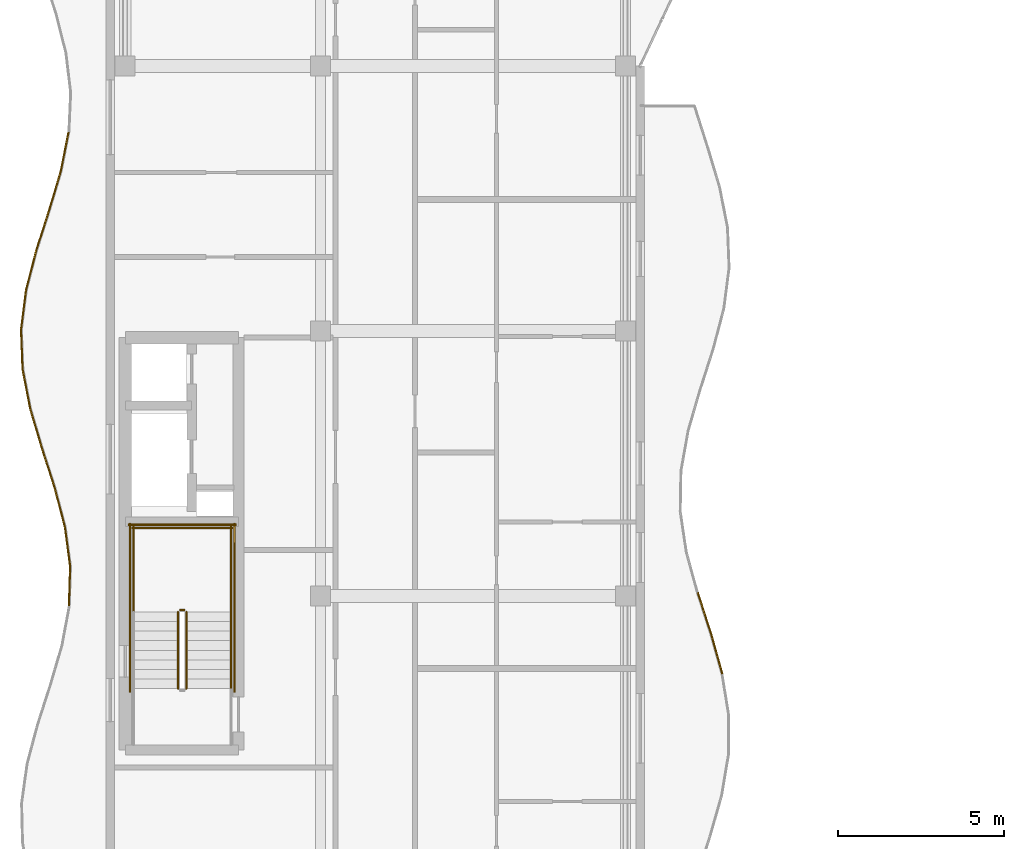
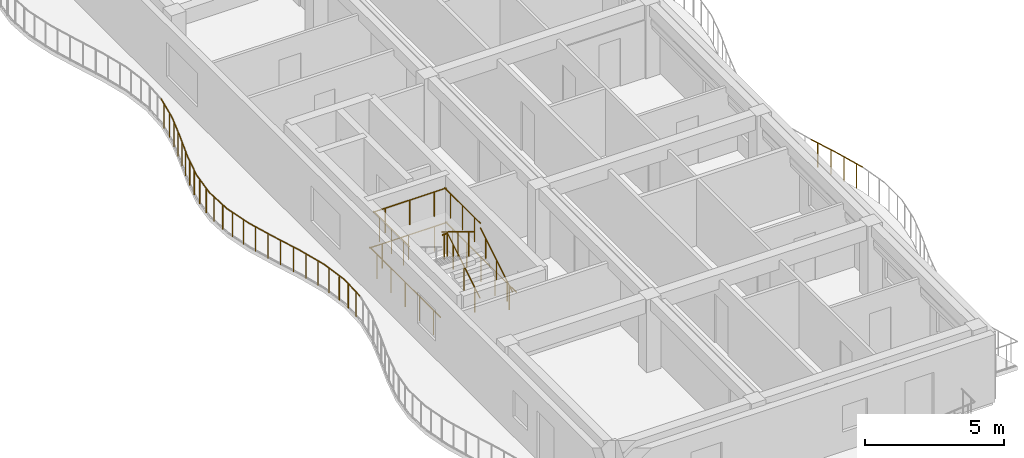
# One storey, part 50 of 76: 24 railings.
"""IFC4 building model written with IfcOpenShell, lengths in metres."""

from ifc_helpers import new_model, si_unit, direction, frame, origin, origin_2d, place, context, subcontext, project, spatial, circle, extrude, material, type_object, element, save


model = new_model("IFC4")

# Units and contexts
model_context = context("Model", 3, precision=1e-05, world=origin(), true_north=direction((0.0, 1.0)))
body_context = subcontext(model_context, "Body", "Model", "MODEL_VIEW")
ifc_project = project(units=[si_unit("LENGTHUNIT", "METRE"), si_unit("AREAUNIT", "SQUARE_METRE"), si_unit("VOLUMEUNIT", "CUBIC_METRE"), si_unit("PLANEANGLEUNIT", "RADIAN"), si_unit("MASSUNIT", "GRAM", prefix="KILO")], contexts=[model_context])

# Site, building, storey
site_placement = place(None, origin())
site = spatial("IfcSite", under=ifc_project, at=site_placement, CompositionType="ELEMENT")
building_placement = place(site_placement, origin())
building = spatial("IfcBuilding", under=site, at=building_placement, Name="Keldmere Railside Commons", CompositionType="ELEMENT")
storey_placement = place(building_placement, frame((0.0, 0.0, 13.760009765625)))
storey = spatial("IfcBuildingStorey", under=building, at=storey_placement, Name="L04", CompositionType="ELEMENT", Elevation=13.760009765625)

# Railings
ifc_material = material(Name="Steel F-24 (S235)", Category="steel")
railing_type_1 = type_object("IfcRailingType", Name="Balcony & Terrace Steel Balustrade 1100", PredefinedType="BALUSTRADE", material=ifc_material)
railing_1_placement = place(storey_placement, frame((26.477294921875, 69.64990234375, 0.0)))
element("IfcRailing", 1, at=railing_1_placement, inside=storey, type_object=railing_type_1, Name="GR-1 GRD-L04-0412", PredefinedType="BALUSTRADE", context=body_context, shape_type="SweptSolid", body=[
    extrude(circle(Radius=0.02392578125, at=origin_2d()), frame((0.0, 0.0, 1.076171875), z_axis=(-0.271223252844, 0.962516465894, 0.0), x_axis=(-0.962516465894, -0.271223252844, 0.0)), (0.0, 0.0, 1.0), 1.272705078125),
    extrude(circle(Radius=0.02099609375, at=origin_2d()), frame((-0.08642578125, 0.30615234375, 0.0)), (0.0, 0.0, 1.0), 1.048095703125),
    extrude(circle(Radius=0.02099609375, at=origin_2d()), frame((-0.2587890625, 0.9189453125, 0.0)), (0.0, 0.0, 1.0), 1.048095703125),
])
railing_2_placement = place(storey_placement, frame((26.132080078125, 70.875, 0.0)))
element("IfcRailing", 2, at=railing_2_placement, inside=storey, type_object=railing_type_1, Name="GR-1 GRD-L04-0413", PredefinedType="BALUSTRADE", context=body_context, shape_type="SweptSolid", body=[
    extrude(circle(Radius=0.02392578125, at=origin_2d()), frame((0.0, 0.0, 1.076171875), z_axis=(-0.307567840436, 0.951526154937, 0.0), x_axis=(-0.951526154937, -0.307567840436, 0.0)), (0.0, 0.0, 1.0), 1.28759765625),
    extrude(circle(Radius=0.02099609375, at=origin_2d()), frame((-0.09912109375, 0.30615234375, 0.0)), (0.0, 0.0, 1.0), 1.048095703125),
    extrude(circle(Radius=0.02099609375, at=origin_2d()), frame((-0.296875, 0.9189453125, 0.0)), (0.0, 0.0, 1.0), 1.048095703125),
])
railing_3_placement = place(storey_placement, frame((6.7529296875, 71.699951171875, 0.0)))
element("IfcRailing", 3, at=railing_3_placement, inside=storey, type_object=railing_type_1, Name="GR-1 GRD-L04-0440", PredefinedType="BALUSTRADE", context=body_context, shape_type="SweptSolid", body=[
    extrude(circle(Radius=0.02392578125, at=origin_2d()), frame((0.0, 0.0, 1.076171875), z_axis=(0.030921490325, 0.999521816388, 0.0), x_axis=(-0.999521816388, 0.030921490325, 0.0)), (0.0, 0.0, 1.0), 1.192138671875),
    extrude(circle(Radius=0.02099609375, at=origin_2d()), frame((0.00927734375, 0.2978515625, 0.0)), (0.0, 0.0, 1.0), 1.048095703125),
    extrude(circle(Radius=0.02099609375, at=origin_2d()), frame((0.027587890625, 0.893798828125, 0.0)), (0.0, 0.0, 1.0), 1.048095703125),
])
railing_4_placement = place(storey_placement, frame((6.789794921875, 72.8916015625, 0.0)))
element("IfcRailing", 4, at=railing_4_placement, inside=storey, type_object=railing_type_1, Name="GR-1 GRD-L04-0441", PredefinedType="BALUSTRADE", context=body_context, shape_type="SweptSolid", body=[
    extrude(circle(Radius=0.02392578125, at=origin_2d()), frame((0.0, 0.0, 1.076171875), z_axis=(-0.131804537155, 0.99127572551, 0.0), x_axis=(-0.99127572551, -0.131804537155, 0.0)), (0.0, 0.0, 1.0), 1.2021484375),
    extrude(circle(Radius=0.02099609375, at=origin_2d()), frame((-0.03955078125, 0.2978515625, 0.0)), (0.0, 0.0, 1.0), 1.048095703125),
    extrude(circle(Radius=0.02099609375, at=origin_2d()), frame((-0.118896484375, 0.893798828125, 0.0)), (0.0, 0.0, 1.0), 1.048095703125),
])
railing_5_placement = place(storey_placement, frame((6.63134765625, 74.083251953125, 0.0)))
element("IfcRailing", 5, at=railing_5_placement, inside=storey, type_object=railing_type_1, Name="GR-1 GRD-L04-0442", PredefinedType="BALUSTRADE", context=body_context, shape_type="SweptSolid", body=[
    extrude(circle(Radius=0.02392578125, at=origin_2d()), frame((0.0, 0.0, 1.076171875), z_axis=(-0.253478616328, 0.967340990067, 0.0), x_axis=(-0.967340990067, -0.253478616328, 0.0)), (0.0, 0.0, 1.0), 1.23193359375),
    extrude(circle(Radius=0.02099609375, at=origin_2d()), frame((-0.078125, 0.2978515625, 0.0)), (0.0, 0.0, 1.0), 1.048095703125),
    extrude(circle(Radius=0.02099609375, at=origin_2d()), frame((-0.234130859375, 0.893798828125, 0.0)), (0.0, 0.0, 1.0), 1.048095703125),
])
railing_6_placement = place(storey_placement, frame((6.319091796875, 75.27490234375, 0.0)))
element("IfcRailing", 6, at=railing_6_placement, inside=storey, type_object=railing_type_1, Name="GR-1 GRD-L04-0443", PredefinedType="BALUSTRADE", context=body_context, shape_type="SweptSolid", body=[
    extrude(circle(Radius=0.02392578125, at=origin_2d()), frame((0.0, 0.0, 1.076171875), z_axis=(-0.306148043322, 0.951983915605, 0.0), x_axis=(-0.951983915605, -0.306148043322, 0.0)), (0.0, 0.0, 1.0), 1.251953125),
    extrude(circle(Radius=0.02099609375, at=origin_2d()), frame((-0.095703125, 0.2978515625, 0.0)), (0.0, 0.0, 1.0), 1.048095703125),
    extrude(circle(Radius=0.02099609375, at=origin_2d()), frame((-0.28759765625, 0.89404296875, 0.0)), (0.0, 0.0, 1.0), 1.048095703125),
])
railing_7_placement = place(storey_placement, frame((5.935791015625, 76.466796875, 0.0)))
element("IfcRailing", 7, at=railing_7_placement, inside=storey, type_object=railing_type_1, Name="GR-1 GRD-L04-0444", PredefinedType="BALUSTRADE", context=body_context, shape_type="SweptSolid", body=[
    extrude(circle(Radius=0.02392578125, at=origin_2d()), frame((0.0, 0.0, 1.076171875), z_axis=(-0.28428230965, 0.958740615819, 0.0), x_axis=(-0.958740615819, -0.28428230965, 0.0)), (0.0, 0.0, 1.0), 1.24267578125),
    extrude(circle(Radius=0.02099609375, at=origin_2d()), frame((-0.08837890625, 0.2978515625, 0.0)), (0.0, 0.0, 1.0), 1.048095703125),
    extrude(circle(Radius=0.02099609375, at=origin_2d()), frame((-0.264892578125, 0.8935546875, 0.0)), (0.0, 0.0, 1.0), 1.048095703125),
])
railing_8_placement = place(storey_placement, frame((5.58251953125, 77.658203125, 0.0)))
element("IfcRailing", 8, at=railing_8_placement, inside=storey, type_object=railing_type_1, Name="GR-1 GRD-L04-0445", PredefinedType="BALUSTRADE", context=body_context, shape_type="SweptSolid", body=[
    extrude(circle(Radius=0.02392578125, at=origin_2d()), frame((0.0, 0.0, 1.076171875), z_axis=(-0.189265134153, 0.981926020123, 0.0), x_axis=(-0.981926020123, -0.189265134153, 0.0)), (0.0, 0.0, 1.0), 1.2138671875),
    extrude(circle(Radius=0.02099609375, at=origin_2d()), frame((-0.057373046875, 0.2978515625, 0.0)), (0.0, 0.0, 1.0), 1.048095703125),
    extrude(circle(Radius=0.02099609375, at=origin_2d()), frame((-0.17236328125, 0.89404296875, 0.0)), (0.0, 0.0, 1.0), 1.048095703125),
])
railing_9_placement = place(storey_placement, frame((5.352783203125, 78.85009765625, 0.0)))
element("IfcRailing", 9, at=railing_9_placement, inside=storey, type_object=railing_type_1, Name="GR-1 GRD-L04-0446", PredefinedType="BALUSTRADE", context=body_context, shape_type="SweptSolid", body=[
    extrude(circle(Radius=0.02392578125, at=origin_2d()), frame((0.0, 0.0, 1.076171875), z_axis=(-0.037874874117, 0.999282489545, 0.0), x_axis=(-0.999282489545, -0.037874874117, 0.0)), (0.0, 0.0, 1.0), 1.192626953125),
    extrude(circle(Radius=0.02099609375, at=origin_2d()), frame((-0.01123046875, 0.2978515625, 0.0)), (0.0, 0.0, 1.0), 1.048095703125),
    extrude(circle(Radius=0.02099609375, at=origin_2d()), frame((-0.033935546875, 0.893798828125, 0.0)), (0.0, 0.0, 1.0), 1.048095703125),
])
railing_10_placement = place(storey_placement, frame((5.3076171875, 80.041748046875, 0.0)))
element("IfcRailing", 10, at=railing_10_placement, inside=storey, type_object=railing_type_1, Name="GR-1 GRD-L04-0447", PredefinedType="BALUSTRADE", context=body_context, shape_type="SweptSolid", body=[
    extrude(circle(Radius=0.02392578125, at=origin_2d()), frame((0.0, 0.0, 1.076171875), z_axis=(0.125610573391, 0.992079625762, 0.0), x_axis=(-0.992079625762, 0.125610573391, 0.0)), (0.0, 0.0, 1.0), 1.201171875),
    extrude(circle(Radius=0.02099609375, at=origin_2d()), frame((0.03759765625, 0.2978515625, 0.0)), (0.0, 0.0, 1.0), 1.048095703125),
    extrude(circle(Radius=0.02099609375, at=origin_2d()), frame((0.11328125, 0.893798828125, 0.0)), (0.0, 0.0, 1.0), 1.048095703125),
])
railing_11_placement = place(storey_placement, frame((5.45849609375, 81.2333984375, 0.0)))
element("IfcRailing", 11, at=railing_11_placement, inside=storey, type_object=railing_type_1, Name="GR-1 GRD-L04-0448", PredefinedType="BALUSTRADE", context=body_context, shape_type="SweptSolid", body=[
    extrude(circle(Radius=0.02392578125, at=origin_2d()), frame((0.0, 0.0, 1.076171875), z_axis=(0.249577998576, 0.968354698768, 0.0), x_axis=(-0.968354698768, 0.249577998576, 0.0)), (0.0, 0.0, 1.0), 1.230712890625),
    extrude(circle(Radius=0.02099609375, at=origin_2d()), frame((0.07666015625, 0.2978515625, 0.0)), (0.0, 0.0, 1.0), 1.048095703125),
    extrude(circle(Radius=0.02099609375, at=origin_2d()), frame((0.23046875, 0.893798828125, 0.0)), (0.0, 0.0, 1.0), 1.048095703125),
])
railing_12_placement = place(storey_placement, frame((5.765625, 82.425048828125, 0.0)))
element("IfcRailing", 12, at=railing_12_placement, inside=storey, type_object=railing_type_1, Name="GR-1 GRD-L04-0449", PredefinedType="BALUSTRADE", context=body_context, shape_type="SweptSolid", body=[
    extrude(circle(Radius=0.02392578125, at=origin_2d()), frame((0.0, 0.0, 1.076171875), z_axis=(0.305674498271, 0.952136072789, 0.0), x_axis=(-0.952136072789, 0.305674498271, 0.0)), (0.0, 0.0, 1.0), 1.25146484375),
    extrude(circle(Radius=0.02099609375, at=origin_2d()), frame((0.095703125, 0.2978515625, 0.0)), (0.0, 0.0, 1.0), 1.048095703125),
    extrude(circle(Radius=0.02099609375, at=origin_2d()), frame((0.286865234375, 0.893798828125, 0.0)), (0.0, 0.0, 1.0), 1.048095703125),
])
railing_13_placement = place(storey_placement, frame((6.148193359375, 83.61669921875, 0.0)))
element("IfcRailing", 13, at=railing_13_placement, inside=storey, type_object=railing_type_1, Name="GR-1 GRD-L04-0450", PredefinedType="BALUSTRADE", context=body_context, shape_type="SweptSolid", body=[
    extrude(circle(Radius=0.02392578125, at=origin_2d()), frame((0.0, 0.0, 1.076171875), z_axis=(0.286573463472, 0.958058270688, 0.0), x_axis=(-0.958058270688, 0.286573463472, 0.0)), (0.0, 0.0, 1.0), 1.243896484375),
    extrude(circle(Radius=0.02099609375, at=origin_2d()), frame((0.089111328125, 0.2978515625, 0.0)), (0.0, 0.0, 1.0), 1.048095703125),
    extrude(circle(Radius=0.02099609375, at=origin_2d()), frame((0.267333984375, 0.893798828125, 0.0)), (0.0, 0.0, 1.0), 1.048095703125),
])
railing_14_placement = place(storey_placement, frame((6.504638671875, 84.808349609375, 0.0)))
element("IfcRailing", 14, at=railing_14_placement, inside=storey, type_object=railing_type_1, Name="GR-1 GRD-L04-0451", PredefinedType="BALUSTRADE", context=body_context, shape_type="SweptSolid", body=[
    extrude(circle(Radius=0.02392578125, at=origin_2d()), frame((0.0, 0.0, 1.076171875), z_axis=(0.19453136977, 0.980896297361, 0.0), x_axis=(-0.980896297361, 0.19453136977, 0.0)), (0.0, 0.0, 1.0), 1.21484375),
    extrude(circle(Radius=0.02099609375, at=origin_2d()), frame((0.05908203125, 0.2978515625, 0.0)), (0.0, 0.0, 1.0), 1.048095703125),
    extrude(circle(Radius=0.02099609375, at=origin_2d()), frame((0.17724609375, 0.893798828125, 0.0)), (0.0, 0.0, 1.0), 1.048095703125),
])
railing_type_2 = type_object("IfcRailingType", Name="Stair Well Steel Guardrail 1100", PredefinedType="BALUSTRADE", material=ifc_material)
railing_15_placement = place(storey_placement, frame((10.300048828125, 69.199951171875, 0.177734375)))
element("IfcRailing", 15, at=railing_15_placement, inside=storey, type_object=railing_type_2, Name="L04 ST-D1 stair guard 1", PredefinedType="BALUSTRADE", context=body_context, shape_type="SweptSolid", body=[
    extrude(circle(Radius=0.02392578125, at=origin_2d()), frame((0.0, 0.0, 1.076171875), z_axis=(0.0, 0.852538067394, 0.522665135287), x_axis=(-1.0, 0.0, 0.0)), (0.0, 0.0, 1.0), 2.721435546875),
    extrude(circle(Radius=0.02099609375, at=origin_2d()), frame((0.0, 0.38671875, 0.237060546875)), (0.0, 0.0, 1.0), 1.048095703125),
    extrude(circle(Radius=0.02099609375, at=origin_2d()), frame((0.0, 1.16015625, 0.711181640625)), (0.0, 0.0, 1.0), 1.048095703125),
    extrude(circle(Radius=0.02099609375, at=origin_2d()), frame((0.0, 1.933349609375, 1.185302734375)), (0.0, 0.0, 1.0), 1.048095703125),
])
railing_16_placement = place(storey_placement, frame((10.25, 71.570068359375, 1.60009765625)))
element("IfcRailing", 16, at=railing_16_placement, inside=storey, type_object=railing_type_2, Name="L04 ST-D1 stair guard 2", PredefinedType="BALUSTRADE", context=body_context, shape_type="SweptSolid", body=[
    extrude(circle(Radius=0.02392578125, at=origin_2d()), frame((0.0, 0.0, 1.076171875), z_axis=(-1.0, 0.0, 0.0), x_axis=(0.0, -1.0, 0.0)), (0.0, 0.0, 1.0), 0.14990234375),
    extrude(circle(Radius=0.02099609375, at=origin_2d()), frame((-0.074951171875, 0.0, 0.0)), (0.0, 0.0, 1.0), 1.048095703125),
])
for number, where, name in (
    (17, (11.64990234375, 71.52001953125, 1.60009765625), "L04 ST-D1 stair guard 3"),
    (18, (8.699951171875, 71.52001953125, 1.60009765625), "L04 ST-D1 stair guard 4"),
):
    element("IfcRailing", number, at=place(storey_placement, frame(where)), inside=storey, type_object=railing_type_2, Name=name, PredefinedType="BALUSTRADE", context=body_context, shape_type="SweptSolid", body=[
        extrude(circle(Radius=0.02392578125, at=origin_2d()), frame((0.0, 0.0, 1.076171875), z_axis=(0.0, 1.0, 0.0), x_axis=(-1.0, 0.0, 0.0)), (0.0, 0.0, 1.0), 2.580078125),
        extrude(circle(Radius=0.02099609375, at=origin_2d()), frame((0.0, 0.429931640625, 0.0)), (0.0, 0.0, 1.0), 1.048095703125),
        extrude(circle(Radius=0.02099609375, at=origin_2d()), frame((0.0, 1.2900390625, 0.0)), (0.0, 0.0, 1.0), 1.048095703125),
        extrude(circle(Radius=0.02099609375, at=origin_2d()), frame((0.0, 2.150146484375, 0.0)), (0.0, 0.0, 1.0), 1.048095703125),
    ])
railing_17_placement = place(storey_placement, frame((11.699951171875, 74.050048828125, 1.60009765625)))
element("IfcRailing", 19, at=railing_17_placement, inside=storey, type_object=railing_type_2, Name="L04 ST-D1 stair guard 5", PredefinedType="BALUSTRADE", context=body_context, shape_type="SweptSolid", body=[
    extrude(circle(Radius=0.02392578125, at=origin_2d()), frame((0.0, 0.0, 1.076171875), z_axis=(-1.0, 0.0, 0.0), x_axis=(0.0, -1.0, 0.0)), (0.0, 0.0, 1.0), 3.050048828125),
    extrude(circle(Radius=0.02099609375, at=origin_2d()), frame((-0.50830078125, 0.0, 0.0)), (0.0, 0.0, 1.0), 1.048095703125),
    extrude(circle(Radius=0.02099609375, at=origin_2d()), frame((-1.52490234375, 0.0, 0.0)), (0.0, 0.0, 1.0), 1.048095703125),
    extrude(circle(Radius=0.02099609375, at=origin_2d()), frame((-2.541748046875, 0.0, 0.0)), (0.0, 0.0, 1.0), 1.048095703125),
])
railing_18_placement = place(storey_placement, frame((10.050048828125, 71.52001953125, 1.77783203125)))
element("IfcRailing", 20, at=railing_18_placement, inside=storey, type_object=railing_type_2, Name="L04 ST-D1 stair guard 6", PredefinedType="BALUSTRADE", context=body_context, shape_type="SweptSolid", body=[
    extrude(circle(Radius=0.02392578125, at=origin_2d()), frame((0.0, 0.0, 1.076171875), z_axis=(0.0, -0.852578041948, 0.522599925744), x_axis=(1.0, 0.0, 0.0)), (0.0, 0.0, 1.0), 2.72119140625),
    extrude(circle(Radius=0.02099609375, at=origin_2d()), frame((0.0, -0.38671875, 0.237060546875)), (0.0, 0.0, 1.0), 1.048095703125),
    extrude(circle(Radius=0.02099609375, at=origin_2d()), frame((0.0, -1.16015625, 0.7109375)), (0.0, 0.0, 1.0), 1.048095703125),
    extrude(circle(Radius=0.02099609375, at=origin_2d()), frame((0.0, -1.933349609375, 1.18505859375)), (0.0, 0.0, 1.0), 1.048095703125),
])
for number, where, name in (
    (21, (11.75, 69.10009765625, 0.0), "L04 ST-D1 stair guard 10"),
    (22, (8.60009765625, 69.10009765625, 0.0), "L04 ST-D1 stair guard 11"),
):
    element("IfcRailing", number, at=place(storey_placement, frame(where)), inside=storey, type_object=railing_type_2, Name=name, PredefinedType="BALUSTRADE", context=body_context, shape_type="SweptSolid", body=[
        extrude(circle(Radius=0.02392578125, at=origin_2d()), frame((0.0, 0.0, 1.076171875), z_axis=(0.0, 1.0, 0.0), x_axis=(-1.0, 0.0, 0.0)), (0.0, 0.0, 1.0), 5.099853515625),
        extrude(circle(Radius=0.02099609375, at=origin_2d()), frame((0.0, 0.510009765625, 0.0)), (0.0, 0.0, 1.0), 1.048095703125),
        extrude(circle(Radius=0.02099609375, at=origin_2d()), frame((0.0, 1.530029296875, 0.0)), (0.0, 0.0, 1.0), 1.048095703125),
        extrude(circle(Radius=0.02099609375, at=origin_2d()), frame((0.0, 2.5498046875, 0.0)), (0.0, 0.0, 1.0), 1.048095703125),
        extrude(circle(Radius=0.02099609375, at=origin_2d()), frame((0.0, 3.56982421875, 0.0)), (0.0, 0.0, 1.0), 1.048095703125),
        extrude(circle(Radius=0.02099609375, at=origin_2d()), frame((0.0, 4.58984375, 0.0)), (0.0, 0.0, 1.0), 1.048095703125),
    ])
railing_19_placement = place(storey_placement, frame((11.800048828125, 74.14990234375, 0.0)))
element("IfcRailing", 23, at=railing_19_placement, inside=storey, type_object=railing_type_2, Name="L04 ST-D1 stair guard 12", PredefinedType="BALUSTRADE", context=body_context, shape_type="SweptSolid", body=[
    extrude(circle(Radius=0.02392578125, at=origin_2d()), frame((0.0, 0.0, 1.076171875), z_axis=(-1.0, 0.0, 0.0), x_axis=(0.0, -1.0, 0.0)), (0.0, 0.0, 1.0), 3.25),
    extrude(circle(Radius=0.02099609375, at=origin_2d()), frame((-0.541748046875, 0.0, 0.0)), (0.0, 0.0, 1.0), 1.048095703125),
    extrude(circle(Radius=0.02099609375, at=origin_2d()), frame((-1.625, 0.0, 0.0)), (0.0, 0.0, 1.0), 1.048095703125),
    extrude(circle(Radius=0.02099609375, at=origin_2d()), frame((-2.708251953125, 0.0, 0.0)), (0.0, 0.0, 1.0), 1.048095703125),
])
railing_type_3 = type_object("IfcRailingType", Name="Wall-Mounted Tubular Steel Handrail 900", PredefinedType="HANDRAIL", material=ifc_material)
railing_20_placement = place(storey_placement, frame((11.64990234375, 69.199951171875, 0.177734375)))
element("IfcRailing", 24, at=railing_20_placement, inside=storey, type_object=railing_type_3, Name="L04 ST-D1 stair handrail 1", PredefinedType="HANDRAIL", context=body_context, shape_type="SweptSolid", body=[
    extrude(circle(Radius=0.02392578125, at=origin_2d()), frame((0.0, 0.0, 0.8759765625), z_axis=(0.0, 0.852538067394, 0.522665135287), x_axis=(-1.0, 0.0, 0.0)), (0.0, 0.0, 1.0), 2.721435546875),
    extrude(circle(Radius=0.02099609375, at=origin_2d()), frame((0.0, 0.38671875, 0.237060546875)), (0.0, 0.0, 1.0), 0.847900390625),
    extrude(circle(Radius=0.02099609375, at=origin_2d()), frame((0.0, 1.16015625, 0.711181640625)), (0.0, 0.0, 1.0), 0.847900390625),
    extrude(circle(Radius=0.02099609375, at=origin_2d()), frame((0.0, 1.933349609375, 1.185302734375)), (0.0, 0.0, 1.0), 0.847900390625),
])

save(model, "model.ifc")
